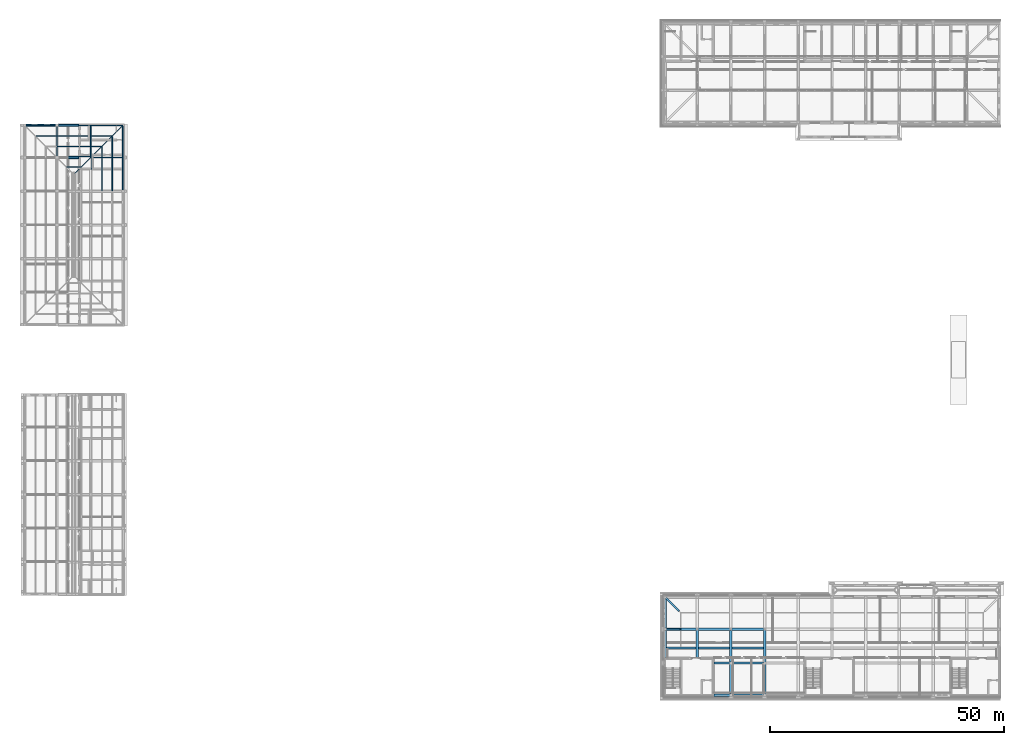
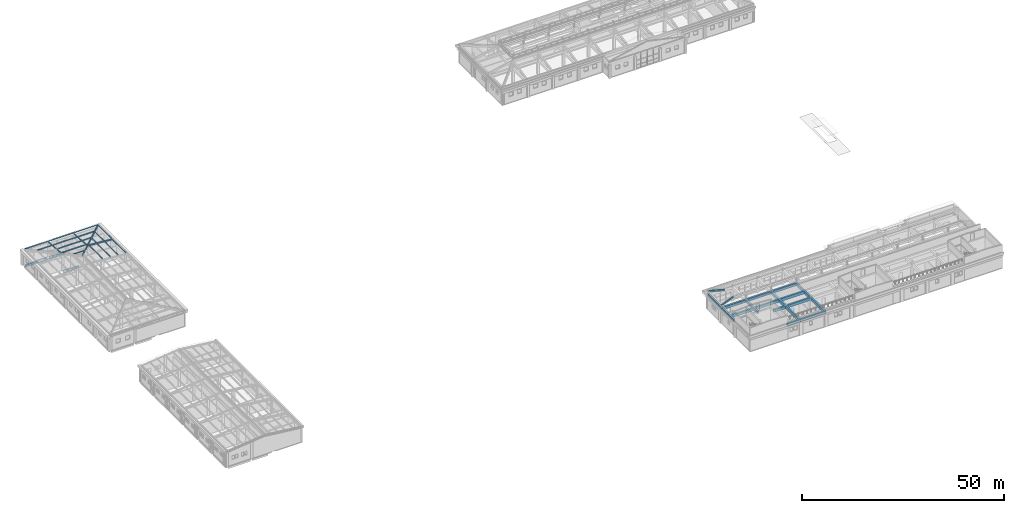
# One storey, part 7 of 48: 26 beams, 17 members.
"""IFC4 building model written with IfcOpenShell, lengths in metres."""

from ifc_helpers import new_model, si_unit, direction, frame, origin, origin_2d, place, context, subcontext, project, spatial, rectangle, i_section, extrude, material, material_profile, profile_set, type_object, element, save


model = new_model("IFC4")

# Units and contexts
model_context = context("Model", 3, precision=1e-05, world=origin(), true_north=direction((0.0, 1.0)))
body_context = subcontext(model_context, "Body", "Model", "MODEL_VIEW")
ifc_project = project(units=[si_unit("LENGTHUNIT", "METRE"), si_unit("AREAUNIT", "SQUARE_METRE"), si_unit("VOLUMEUNIT", "CUBIC_METRE"), si_unit("PLANEANGLEUNIT", "RADIAN"), si_unit("MASSUNIT", "GRAM", prefix="KILO")], contexts=[model_context])

# Site, building, storey
site_placement = place(None, origin())
site = spatial("IfcSite", under=ifc_project, at=site_placement, CompositionType="ELEMENT")
building_placement = place(site_placement, origin())
building = spatial("IfcBuilding", under=site, at=building_placement, Name="Alderwick Market Hall", CompositionType="ELEMENT")
storey_placement = place(building_placement, frame((0.0, 0.0, 14.39990234375)))
storey = spatial("IfcBuildingStorey", under=building, at=storey_placement, Name="L02", CompositionType="ELEMENT", Elevation=14.39990234375)

# Beams
ifc_material_1 = material(Name="Concrete 5000 psi (f'c 35 MPa)", Category="concrete")
ifc_material_profile_1 = material_profile(ifc_material_1, rectangle(XDim=0.39990234375, YDim=0.60009765625, at=origin_2d()), Name="B RC Beam 400x600")
ifc_profile_set_1 = profile_set([ifc_material_profile_1], Name="Concrete 5000 psi (f'c 35 MPa)")
beam_type_1 = type_object("IfcBeamType", Name="B RC Beam 400x600", PredefinedType="BEAM", material=ifc_profile_set_1)
beam_1_placement = place(storey_placement, frame((22.199951171875, 129.300048828125, -0.5498046875), z_axis=(1.0, 0.0, 0.0), x_axis=(0.0, 1.0, 0.0)))
element("IfcBeam", 1, at=beam_1_placement, inside=storey, type_object=beam_type_1, Name="B.N.beam.L02.u003-0006", PredefinedType="BEAM", context=body_context, shape_type="SweptSolid", body=[
    extrude(rectangle(XDim=0.39990234375, YDim=0.60009765625, at=origin_2d()), origin(), (0.0, 0.0, 1.0), 6.300048828125),
])
for number, where, z_axis, x_axis, name in (
    (2, (29.10009765625, 129.300048828125, -0.5498046875), (1.0, 0.0, 0.0), (0.0, 1.0, 0.0), "B.N.beam.L02.u003-0075"),
    (3, (29.10009765625, 122.39990234375, -0.5498046875), (1.0, 0.0, 0.0), (0.0, 1.0, 0.0), "B.N.beam.L02.u072-0075"),
):
    element("IfcBeam", number, at=place(storey_placement, frame(where, z_axis=z_axis, x_axis=x_axis)), inside=storey, type_object=beam_type_1, Name=name, PredefinedType="BEAM", context=body_context, shape_type="SweptSolid", body=[
        extrude(rectangle(XDim=0.39990234375, YDim=0.60009765625, at=origin_2d()), origin(), (0.0, 0.0, 1.0), 4.349853515625),
    ])

# Members
ifc_material_2 = material(Name="Steel ASTM A992 Grade 50", Category="steel")
ifc_material_profile_2 = material_profile(ifc_material_2, i_section(OverallWidth=0.134033203125, OverallDepth=0.2099609375, WebThickness=0.00634765625, FlangeThickness=0.01025390625, at=origin_2d()), Name="W200x31")
ifc_profile_set_2 = profile_set([ifc_material_profile_2], Name="Steel ASTM A992 Grade 50")
member_type = type_object("IfcMemberType", Name="B Roof Purlin W200x31", PredefinedType="PURLIN", material=ifc_profile_set_2)
member_1_placement = place(storey_placement, frame((42.85009765625, 129.1279296875, 4.603515625), z_axis=(0.0, -1.0, 0.0), x_axis=(1.0, 0.0, 0.0)))
element("IfcMember", 4, at=member_1_placement, inside=storey, type_object=member_type, Name="B.N.purlin.s01.00", PredefinedType="PURLIN", context=body_context, shape_type="SweptSolid", body=[
    extrude(i_section(OverallWidth=0.134033203125, OverallDepth=0.2099609375, WebThickness=0.00634765625, FlangeThickness=0.01025390625, at=origin_2d()), origin(), (0.0, 0.0, 1.0), 6.65283203125),
])
member_2_placement = place(storey_placement, frame((42.85009765625, 122.324951171875, 4.603515625), z_axis=(0.0, -1.0, 0.0), x_axis=(1.0, 0.0, 0.0)))
element("IfcMember", 5, at=member_2_placement, inside=storey, type_object=member_type, Name="B.N.purlin.s01.01", PredefinedType="PURLIN", context=body_context, shape_type="SweptSolid", body=[
    extrude(i_section(OverallWidth=0.134033203125, OverallDepth=0.2099609375, WebThickness=0.00634765625, FlangeThickness=0.01025390625, at=origin_2d()), origin(), (0.0, 0.0, 1.0), 7.050048828125),
])
member_3_placement = place(storey_placement, frame((22.072021484375, 129.25, 4.603515625), z_axis=(1.0, 0.0, 0.0), x_axis=(0.0, 1.0, 0.0)))
element("IfcMember", 6, at=member_3_placement, inside=storey, type_object=member_type, Name="B.N.purlin.e00.00", PredefinedType="PURLIN", context=body_context, shape_type="SweptSolid", body=[
    extrude(i_section(OverallWidth=0.134033203125, OverallDepth=0.2099609375, WebThickness=0.00634765625, FlangeThickness=0.01025390625, at=origin_2d()), origin(), (0.0, 0.0, 1.0), 6.653076171875),
])
member_4_placement = place(storey_placement, frame((28.875, 129.25, 4.603515625), z_axis=(1.0, 0.0, 0.0), x_axis=(0.0, 1.0, 0.0)))
element("IfcMember", 7, at=member_4_placement, inside=storey, type_object=member_type, Name="B.N.purlin.e00.01", PredefinedType="PURLIN", context=body_context, shape_type="SweptSolid", body=[
    extrude(i_section(OverallWidth=0.134033203125, OverallDepth=0.2099609375, WebThickness=0.00634765625, FlangeThickness=0.01025390625, at=origin_2d()), origin(), (0.0, 0.0, 1.0), 7.050048828125),
])
member_5_placement = place(storey_placement, frame((36.074951171875, 129.25, 4.603515625), z_axis=(1.0, 0.0, 0.0), x_axis=(0.0, 1.0, 0.0)))
element("IfcMember", 8, at=member_5_placement, inside=storey, type_object=member_type, Name="B.N.purlin.e00.02", PredefinedType="PURLIN", context=body_context, shape_type="SweptSolid", body=[
    extrude(i_section(OverallWidth=0.134033203125, OverallDepth=0.2099609375, WebThickness=0.00634765625, FlangeThickness=0.01025390625, at=origin_2d()), origin(), (0.0, 0.0, 1.0), 6.653076171875),
])
member_6_placement = place(storey_placement, frame((40.60009765625, 126.8779296875, 4.791015625), z_axis=(0.0, -1.0, 0.0), x_axis=(1.0, 0.0, 0.0)))
element("IfcMember", 9, at=member_6_placement, inside=storey, type_object=member_type, Name="B.N.purlin.s11.00", PredefinedType="PURLIN", context=body_context, shape_type="SweptSolid", body=[
    extrude(i_section(OverallWidth=0.134033203125, OverallDepth=0.2099609375, WebThickness=0.00634765625, FlangeThickness=0.01025390625, at=origin_2d()), origin(), (0.0, 0.0, 1.0), 4.40283203125),
])
member_7_placement = place(storey_placement, frame((40.60009765625, 122.324951171875, 4.791015625), z_axis=(0.0, -1.0, 0.0), x_axis=(1.0, 0.0, 0.0)))
element("IfcMember", 10, at=member_7_placement, inside=storey, type_object=member_type, Name="B.N.purlin.s11.01", PredefinedType="PURLIN", context=body_context, shape_type="SweptSolid", body=[
    extrude(i_section(OverallWidth=0.134033203125, OverallDepth=0.2099609375, WebThickness=0.00634765625, FlangeThickness=0.01025390625, at=origin_2d()), origin(), (0.0, 0.0, 1.0), 7.050048828125),
])
member_8_placement = place(storey_placement, frame((24.322021484375, 127.0, 4.791015625), z_axis=(1.0, 0.0, 0.0), x_axis=(0.0, 1.0, 0.0)))
element("IfcMember", 11, at=member_8_placement, inside=storey, type_object=member_type, Name="B.N.purlin.e10.00", PredefinedType="PURLIN", context=body_context, shape_type="SweptSolid", body=[
    extrude(i_section(OverallWidth=0.134033203125, OverallDepth=0.2099609375, WebThickness=0.00634765625, FlangeThickness=0.01025390625, at=origin_2d()), origin(), (0.0, 0.0, 1.0), 4.403076171875),
])
member_9_placement = place(storey_placement, frame((28.875, 127.0, 4.791015625), z_axis=(1.0, 0.0, 0.0), x_axis=(0.0, 1.0, 0.0)))
element("IfcMember", 12, at=member_9_placement, inside=storey, type_object=member_type, Name="B.N.purlin.e10.01", PredefinedType="PURLIN", context=body_context, shape_type="SweptSolid", body=[
    extrude(i_section(OverallWidth=0.134033203125, OverallDepth=0.2099609375, WebThickness=0.00634765625, FlangeThickness=0.01025390625, at=origin_2d()), origin(), (0.0, 0.0, 1.0), 7.050048828125),
])
member_10_placement = place(storey_placement, frame((36.074951171875, 127.0, 4.791015625), z_axis=(1.0, 0.0, 0.0), x_axis=(0.0, 1.0, 0.0)))
element("IfcMember", 13, at=member_10_placement, inside=storey, type_object=member_type, Name="B.N.purlin.e10.02", PredefinedType="PURLIN", context=body_context, shape_type="SweptSolid", body=[
    extrude(i_section(OverallWidth=0.134033203125, OverallDepth=0.2099609375, WebThickness=0.00634765625, FlangeThickness=0.01025390625, at=origin_2d()), origin(), (0.0, 0.0, 1.0), 4.403076171875),
])
member_11_placement = place(storey_placement, frame((38.39990234375, 124.677978515625, 4.974365234375), z_axis=(0.0, -1.0, 0.0), x_axis=(1.0, 0.0, 0.0)))
element("IfcMember", 14, at=member_11_placement, inside=storey, type_object=member_type, Name="B.N.purlin.s21.00", PredefinedType="PURLIN", context=body_context, shape_type="SweptSolid", body=[
    extrude(i_section(OverallWidth=0.134033203125, OverallDepth=0.2099609375, WebThickness=0.00634765625, FlangeThickness=0.01025390625, at=origin_2d()), origin(), (0.0, 0.0, 1.0), 2.202880859375),
])
for number, where, z_axis, x_axis, name in (
    (15, (38.39990234375, 122.324951171875, 4.974365234375), (0.0, -1.0, 0.0), (1.0, 0.0, 0.0), "B.N.purlin.s21.01"),
    (16, (28.875, 124.800048828125, 4.974365234375), (1.0, 0.0, 0.0), (0.0, 1.0, 0.0), "B.N.purlin.e20.01"),
):
    element("IfcMember", number, at=place(storey_placement, frame(where, z_axis=z_axis, x_axis=x_axis)), inside=storey, type_object=member_type, Name=name, PredefinedType="PURLIN", context=body_context, shape_type="SweptSolid", body=[
        extrude(i_section(OverallWidth=0.134033203125, OverallDepth=0.2099609375, WebThickness=0.00634765625, FlangeThickness=0.01025390625, at=origin_2d()), origin(), (0.0, 0.0, 1.0), 7.050048828125),
    ])
member_12_placement = place(storey_placement, frame((36.074951171875, 124.800048828125, 4.974365234375), z_axis=(1.0, 0.0, 0.0), x_axis=(0.0, 1.0, 0.0)))
element("IfcMember", 17, at=member_12_placement, inside=storey, type_object=member_type, Name="B.N.purlin.e20.02", PredefinedType="PURLIN", context=body_context, shape_type="SweptSolid", body=[
    extrude(i_section(OverallWidth=0.134033203125, OverallDepth=0.2099609375, WebThickness=0.00634765625, FlangeThickness=0.01025390625, at=origin_2d()), origin(), (0.0, 0.0, 1.0), 2.203125),
])
member_13_placement = place(storey_placement, frame((36.199951171875, 122.47802734375, 5.15771484375), z_axis=(0.0, -1.0, 0.0), x_axis=(1.0, 0.0, 0.0)))
element("IfcMember", 18, at=member_13_placement, inside=storey, type_object=member_type, Name="B.N.purlin.s31.00", PredefinedType="PURLIN", context=body_context, shape_type="SweptSolid", body=[
    extrude(i_section(OverallWidth=0.134033203125, OverallDepth=0.2099609375, WebThickness=0.00634765625, FlangeThickness=0.01025390625, at=origin_2d()), origin(), (0.0, 0.0, 1.0), 7.203125),
])
member_14_placement = place(storey_placement, frame((28.721923828125, 122.60009765625, 5.15771484375), z_axis=(1.0, 0.0, 0.0), x_axis=(0.0, 1.0, 0.0)))
element("IfcMember", 19, at=member_14_placement, inside=storey, type_object=member_type, Name="B.N.purlin.e30.00", PredefinedType="PURLIN", context=body_context, shape_type="SweptSolid", body=[
    extrude(i_section(OverallWidth=0.134033203125, OverallDepth=0.2099609375, WebThickness=0.00634765625, FlangeThickness=0.01025390625, at=origin_2d()), origin(), (0.0, 0.0, 1.0), 7.35595703125),
])
member_15_placement = place(storey_placement, frame((30.922119140625, 120.39990234375, 5.341064453125), z_axis=(1.0, 0.0, 0.0), x_axis=(0.0, 1.0, 0.0)))
element("IfcMember", 20, at=member_15_placement, inside=storey, type_object=member_type, Name="B.N.purlin.e40.00", PredefinedType="PURLIN", context=body_context, shape_type="SweptSolid", body=[
    extrude(i_section(OverallWidth=0.134033203125, OverallDepth=0.2099609375, WebThickness=0.00634765625, FlangeThickness=0.01025390625, at=origin_2d()), origin(), (0.0, 0.0, 1.0), 2.955810546875),
])

# Beams
ifc_material_profile_3 = material_profile(ifc_material_2, i_section(OverallWidth=0.1708984375, OverallDepth=0.35498046875, WebThickness=0.007080078125, FlangeThickness=0.01171875, at=origin_2d()), Name="W360x51")
ifc_profile_set_3 = profile_set([ifc_material_profile_3], Name="Steel ASTM A992 Grade 50")
beam_type_2 = type_object("IfcBeamType", Name="B Roof Rafter W360x51", PredefinedType="BEAM", material=ifc_profile_set_3)
beam_2_placement = place(storey_placement, frame((42.89990234375, 129.300048828125, 4.31591796875), z_axis=(-0.70588269844, -0.70588269844, 0.058815236862), x_axis=(0.707106781187, -0.707106781187, 0.0)))
element("IfcBeam", 21, at=beam_2_placement, inside=storey, type_object=beam_type_2, Name="B.N.hip.2", PredefinedType="BEAM", context=body_context, shape_type="SweptSolid", body=[
    extrude(i_section(OverallWidth=0.1708984375, OverallDepth=0.35498046875, WebThickness=0.007080078125, FlangeThickness=0.01171875, at=origin_2d()), origin(), (0.0, 0.0, 1.0), 14.66943359375),
])
beam_3_placement = place(storey_placement, frame((42.89990234375, 122.39990234375, 4.31591796875), z_axis=(-0.996547243441, 0.0, 0.083027655575), x_axis=(0.0, -1.0, 0.0)))
element("IfcBeam", 22, at=beam_3_placement, inside=storey, type_object=beam_type_2, Name="B.N.rafter.E.072", PredefinedType="BEAM", context=body_context, shape_type="SweptSolid", body=[
    extrude(i_section(OverallWidth=0.1708984375, OverallDepth=0.35498046875, WebThickness=0.007080078125, FlangeThickness=0.01171875, at=origin_2d()), origin(), (0.0, 0.0, 1.0), 6.80126953125),
])
for number, where, z_axis, x_axis, name in (
    (23, (28.800048828125, 129.300048828125, 4.31591796875), (0.0, -0.996547490881, 0.083024685603), (1.0, 0.0, 0.0), "B.N.jack.S.072"),
    (24, (36.0, 129.300048828125, 4.31591796875), (0.0, -0.996547490881, 0.083024685603), (1.0, 0.0, 0.0), "B.N.jack.S.144"),
):
    element("IfcBeam", number, at=place(storey_placement, frame(where, z_axis=z_axis, x_axis=x_axis)), inside=storey, type_object=beam_type_2, Name=name, PredefinedType="BEAM", context=body_context, shape_type="SweptSolid", body=[
        extrude(i_section(OverallWidth=0.1708984375, OverallDepth=0.35498046875, WebThickness=0.007080078125, FlangeThickness=0.01171875, at=origin_2d()), origin(), (0.0, 0.0, 1.0), 6.801513671875),
    ])
ifc_material_profile_4 = material_profile(ifc_material_1, rectangle(XDim=0.35009765625, YDim=0.449951171875, at=origin_2d()), Name="RC 350x450")
ifc_profile_set_4 = profile_set([ifc_material_profile_4], Name="Concrete 5000 psi (f'c 35 MPa)")
beam_type_3 = type_object("IfcBeamType", Name="C Hip Rafter RC 350x450", PredefinedType="BEAM", material=ifc_profile_set_4)
beam_4_placement = place(storey_placement, frame((158.85009765625, 28.35009765625, 5.153076171875), z_axis=(0.680042704689, -0.680100962438, 0.273869678296), x_axis=(0.707137067375, 0.707076493701, 0.0)))
element("IfcBeam", 25, at=beam_4_placement, inside=storey, type_object=beam_type_3, Name="C.rafter.L02.003", PredefinedType="BEAM", context=body_context, shape_type="SweptSolid", body=[
    extrude(rectangle(XDim=0.35009765625, YDim=0.449951171875, at=origin_2d()), origin(), (0.0, 0.0, 1.0), 4.190673828125),
])
ifc_material_profile_5 = material_profile(ifc_material_1, rectangle(XDim=0.300048828125, YDim=0.39990234375, at=origin_2d()), Name="RC 300x400")
ifc_profile_set_5 = profile_set([ifc_material_profile_5], Name="Concrete 5000 psi (f'c 35 MPa)")
beam_type_4 = type_object("IfcBeamType", Name="C Rafter RC 300x400", PredefinedType="BEAM", material=ifc_profile_set_5)
beam_5_placement = place(storey_placement, frame((158.60009765625, 21.60009765625, 5.114990234375), z_axis=(0.927564381168, 0.0, 0.3736633763), x_axis=(0.0, 1.0, 0.0)))
element("IfcBeam", 26, at=beam_5_placement, inside=storey, type_object=beam_type_4, Name="C.rafter.L02.001", PredefinedType="BEAM", context=body_context, shape_type="SweptSolid", body=[
    extrude(rectangle(XDim=0.300048828125, YDim=0.39990234375, at=origin_2d()), origin(), (0.0, 0.0, 1.0), 3.66552734375),
])
ifc_material_profile_6 = material_profile(ifc_material_1, rectangle(XDim=0.5, YDim=0.800048828125, at=origin_2d()), Name="RC 500x800")
ifc_profile_set_6 = profile_set([ifc_material_profile_6], Name="Concrete 5000 psi (f'c 35 MPa)")
beam_type_5 = type_object("IfcBeamType", Name="C Roof Girder RC 500x800", PredefinedType="BEAM", material=ifc_profile_set_6)
beam_6_placement = place(storey_placement, frame((158.75, 21.60009765625, 4.10009765625), z_axis=(1.0, 0.0, 0.0), x_axis=(0.0, 1.0, 0.0)))
element("IfcBeam", 27, at=beam_6_placement, inside=storey, type_object=beam_type_5, Name="C.beam.L02.011", PredefinedType="BEAM", context=body_context, shape_type="SweptSolid", body=[
    extrude(rectangle(XDim=0.5, YDim=0.800048828125, at=origin_2d()), origin(), (0.0, 0.0, 1.0), 6.85009765625),
])
for number, where, z_axis, x_axis, name in (
    (28, (165.60009765625, 21.60009765625, 4.10009765625), (1.0, 0.0, 0.0), (0.0, 1.0, 0.0), "C.beam.L02.012"),
    (29, (172.800048828125, 21.60009765625, 4.10009765625), (1.0, 0.0, 0.0), (0.0, 1.0, 0.0), "C.beam.L02.013"),
):
    element("IfcBeam", number, at=place(storey_placement, frame(where, z_axis=z_axis, x_axis=x_axis)), inside=storey, type_object=beam_type_5, Name=name, PredefinedType="BEAM", context=body_context, shape_type="SweptSolid", body=[
        extrude(rectangle(XDim=0.5, YDim=0.800048828125, at=origin_2d()), origin(), (0.0, 0.0, 1.0), 7.199951171875),
    ])
beam_7_placement = place(storey_placement, frame((169.198974609375, 14.39990234375, 4.10009765625), z_axis=(1.0, 0.0, 0.0), x_axis=(0.0, 1.0, 0.0)))
element("IfcBeam", 30, at=beam_7_placement, inside=storey, type_object=beam_type_5, Name="C.beam.L02.021", PredefinedType="BEAM", context=body_context, shape_type="SweptSolid", body=[
    extrude(rectangle(XDim=0.5, YDim=0.800048828125, at=origin_2d()), origin(), (0.0, 0.0, 1.0), 3.60107421875),
])
beam_8_placement = place(storey_placement, frame((172.800048828125, 14.39990234375, 4.10009765625), z_axis=(1.0, 0.0, 0.0), x_axis=(0.0, 1.0, 0.0)))
element("IfcBeam", 31, at=beam_8_placement, inside=storey, type_object=beam_type_5, Name="C.beam.L02.022", PredefinedType="BEAM", context=body_context, shape_type="SweptSolid", body=[
    extrude(rectangle(XDim=0.5, YDim=0.800048828125, at=origin_2d()), origin(), (0.0, 0.0, 1.0), 7.199951171875),
])
beam_9_placement = place(storey_placement, frame((169.198974609375, 7.550048828125, 4.10009765625), z_axis=(1.0, 0.0, 0.0), x_axis=(0.0, 1.0, 0.0)))
element("IfcBeam", 32, at=beam_9_placement, inside=storey, type_object=beam_type_5, Name="C.beam.L02.029", PredefinedType="BEAM", context=body_context, shape_type="SweptSolid", body=[
    extrude(rectangle(XDim=0.5, YDim=0.800048828125, at=origin_2d()), origin(), (0.0, 0.0, 1.0), 3.60107421875),
])
beam_10_placement = place(storey_placement, frame((172.800048828125, 7.550048828125, 4.10009765625), z_axis=(1.0, 0.0, 0.0), x_axis=(0.0, 1.0, 0.0)))
element("IfcBeam", 33, at=beam_10_placement, inside=storey, type_object=beam_type_5, Name="C.beam.L02.030", PredefinedType="BEAM", context=body_context, shape_type="SweptSolid", body=[
    extrude(rectangle(XDim=0.5, YDim=0.800048828125, at=origin_2d()), origin(), (0.0, 0.0, 1.0), 7.199951171875),
])
beam_11_placement = place(storey_placement, frame((158.75, 28.449951171875, 4.10009765625), z_axis=(0.0, -1.0, 0.0), x_axis=(1.0, 0.0, 0.0)))
element("IfcBeam", 34, at=beam_11_placement, inside=storey, type_object=beam_type_5, Name="C.beam.L02.037", PredefinedType="BEAM", context=body_context, shape_type="SweptSolid", body=[
    extrude(rectangle(XDim=0.5, YDim=0.800048828125, at=origin_2d()), origin(), (0.0, 0.0, 1.0), 6.849853515625),
])
for number, where, z_axis, x_axis, name in (
    (35, (158.75, 21.60009765625, 4.10009765625), (0.0, -1.0, 0.0), (1.0, 0.0, 0.0), "C.beam.L02.038"),
    (36, (165.60009765625, 21.60009765625, 4.10009765625), (0.0, -1.0, 0.0), (1.0, 0.0, 0.0), "C.beam.L02.040"),
):
    element("IfcBeam", number, at=place(storey_placement, frame(where, z_axis=z_axis, x_axis=x_axis)), inside=storey, type_object=beam_type_5, Name=name, PredefinedType="BEAM", context=body_context, shape_type="SweptSolid", body=[
        extrude(rectangle(XDim=0.5, YDim=0.800048828125, at=origin_2d()), origin(), (0.0, 0.0, 1.0), 6.0009765625),
    ])
beam_12_placement = place(storey_placement, frame((172.800048828125, 21.60009765625, 4.10009765625), z_axis=(0.0, -1.0, 0.0), x_axis=(1.0, 0.0, 0.0)))
element("IfcBeam", 37, at=beam_12_placement, inside=storey, type_object=beam_type_5, Name="C.beam.L02.042", PredefinedType="BEAM", context=body_context, shape_type="SweptSolid", body=[
    extrude(rectangle(XDim=0.5, YDim=0.800048828125, at=origin_2d()), origin(), (0.0, 0.0, 1.0), 7.2001953125),
])
beam_13_placement = place(storey_placement, frame((172.800048828125, 14.39990234375, 4.10009765625), z_axis=(0.0, -1.0, 0.0), x_axis=(1.0, 0.0, 0.0)))
element("IfcBeam", 38, at=beam_13_placement, inside=storey, type_object=beam_type_5, Name="C.beam.L02.043", PredefinedType="BEAM", context=body_context, shape_type="SweptSolid", body=[
    extrude(rectangle(XDim=0.5, YDim=0.800048828125, at=origin_2d()), origin(), (0.0, 0.0, 1.0), 6.849853515625),
])
beam_14_placement = place(storey_placement, frame((180.0, 21.60009765625, 4.10009765625), z_axis=(0.0, -1.0, 0.0), x_axis=(1.0, 0.0, 0.0)))
element("IfcBeam", 39, at=beam_14_placement, inside=storey, type_object=beam_type_5, Name="C.beam.L02.045", PredefinedType="BEAM", context=body_context, shape_type="SweptSolid", body=[
    extrude(rectangle(XDim=0.5, YDim=0.800048828125, at=origin_2d()), origin(), (0.0, 0.0, 1.0), 7.2001953125),
])
beam_15_placement = place(storey_placement, frame((180.0, 14.39990234375, 4.10009765625), z_axis=(0.0, -1.0, 0.0), x_axis=(1.0, 0.0, 0.0)))
element("IfcBeam", 40, at=beam_15_placement, inside=storey, type_object=beam_type_5, Name="C.beam.L02.046", PredefinedType="BEAM", context=body_context, shape_type="SweptSolid", body=[
    extrude(rectangle(XDim=0.5, YDim=0.800048828125, at=origin_2d()), origin(), (0.0, 0.0, 1.0), 6.849853515625),
])
beam_16_placement = place(storey_placement, frame((159.0, 17.60009765625, 4.10009765625), z_axis=(1.0, 0.0, 0.0), x_axis=(0.0, 1.0, 0.0)))
element("IfcBeam", 41, at=beam_16_placement, inside=storey, type_object=beam_type_5, Name="C.rgirder.L02.01", PredefinedType="BEAM", context=body_context, shape_type="SweptSolid", body=[
    extrude(rectangle(XDim=0.5, YDim=0.800048828125, at=origin_2d()), origin(), (0.0, 0.0, 1.0), 6.35009765625),
])
for number, where, z_axis, x_axis, name in (
    (42, (165.85009765625, 17.60009765625, 4.10009765625), (1.0, 0.0, 0.0), (0.0, 1.0, 0.0), "C.rgirder.L02.02"),
    (43, (173.050048828125, 17.60009765625, 4.10009765625), (1.0, 0.0, 0.0), (0.0, 1.0, 0.0), "C.rgirder.L02.03"),
):
    element("IfcBeam", number, at=place(storey_placement, frame(where, z_axis=z_axis, x_axis=x_axis)), inside=storey, type_object=beam_type_5, Name=name, PredefinedType="BEAM", context=body_context, shape_type="SweptSolid", body=[
        extrude(rectangle(XDim=0.5, YDim=0.800048828125, at=origin_2d()), origin(), (0.0, 0.0, 1.0), 6.699951171875),
    ])

save(model, "model.ifc")
